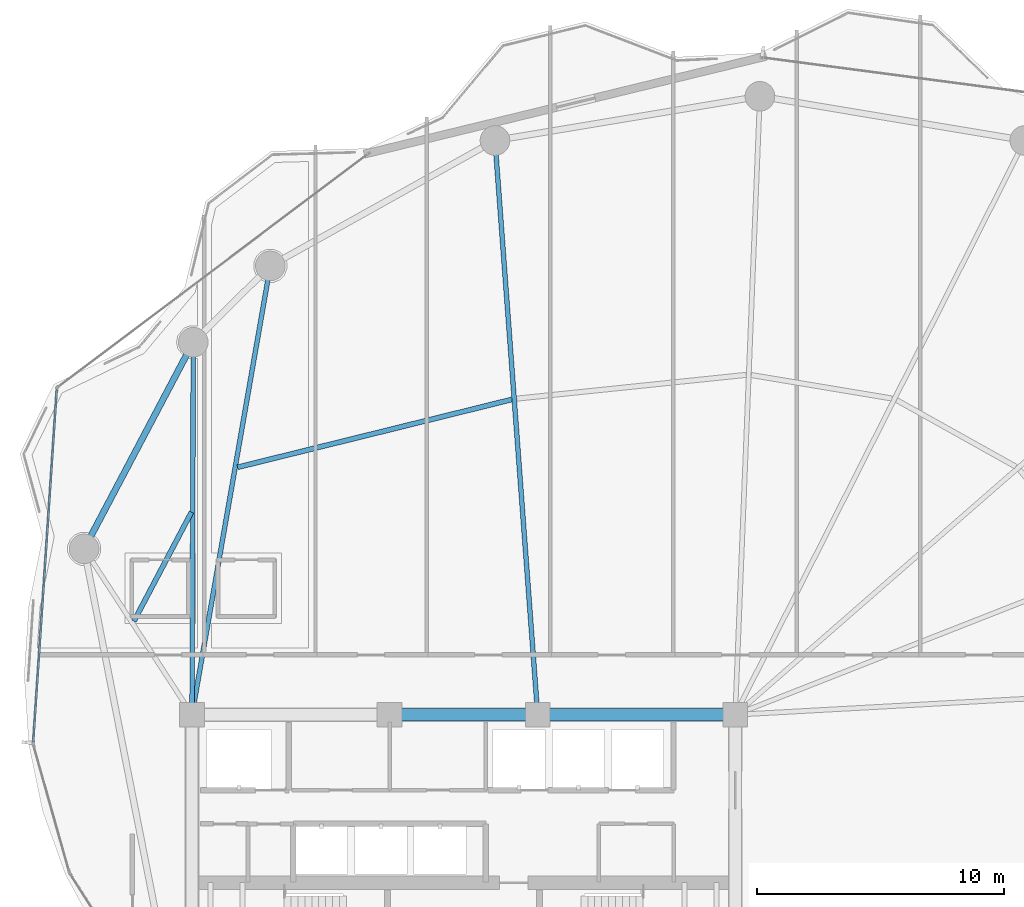
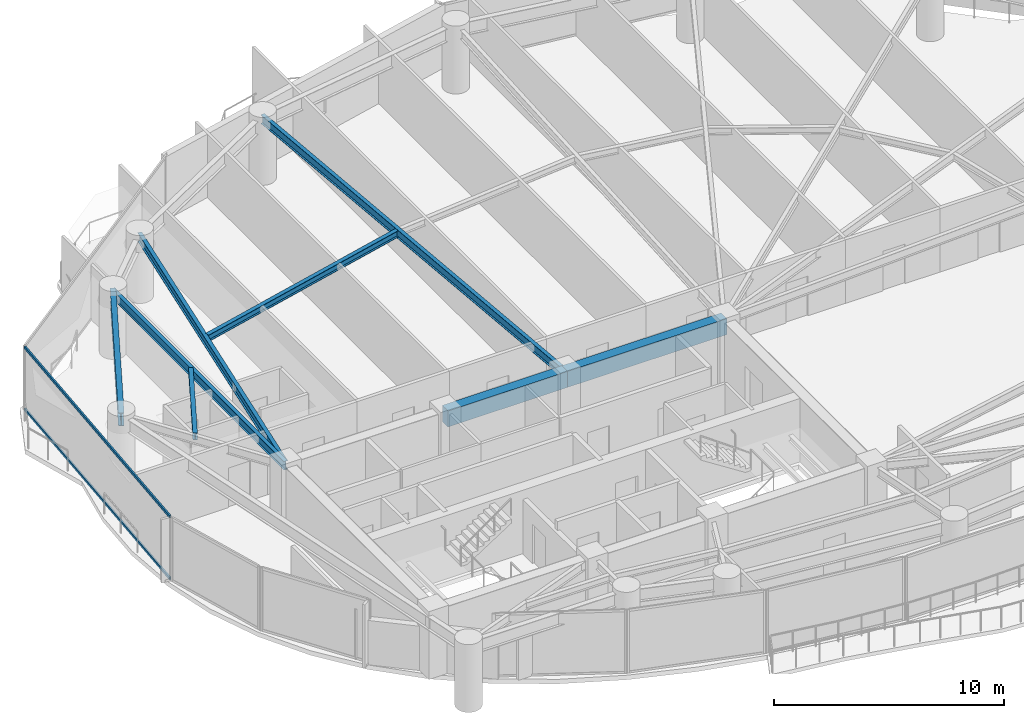
# One storey, part 8 of 30: 8 beams, 2 members, 1 element without a shape of its own.
"""IFC4 building model written with IfcOpenShell, lengths in metres."""

from ifc_helpers import new_model, si_unit, direction, frame, origin, origin_2d, place, context, subcontext, project, spatial, rectangle, hollow_rectangle, i_section, extrude, material, layer, layer_set, material_profile, profile_set, type_object, element, aggregate, save


model = new_model("IFC4")

# Units and contexts
model_context = context("Model", 3, precision=1e-05, world=origin(), true_north=direction((0.0, 1.0)))
body_context = subcontext(model_context, "Body", "Model", "MODEL_VIEW")
ifc_project = project(units=[si_unit("LENGTHUNIT", "METRE"), si_unit("AREAUNIT", "SQUARE_METRE"), si_unit("VOLUMEUNIT", "CUBIC_METRE"), si_unit("PLANEANGLEUNIT", "RADIAN"), si_unit("MASSUNIT", "GRAM", prefix="KILO")], contexts=[model_context])

# Site, building, storey
site_placement = place(None, origin())
site = spatial("IfcSite", under=ifc_project, at=site_placement, CompositionType="ELEMENT")
building_placement = place(site_placement, origin())
building = spatial("IfcBuilding", under=site, at=building_placement, Name="Kazevale Care Tower and Concert Hall", CompositionType="ELEMENT")
storey_placement = place(building_placement, frame((0.0, 0.0, 127.800048828125)))
storey = spatial("IfcBuildingStorey", under=building, at=storey_placement, Name="L33", CompositionType="ELEMENT", Elevation=127.800048828125)

# Curtain wall, members
ifc_material_1 = material(Name="Aluminium 6063-T6 and Low-E Glass", Category="aluminium")
ifc_layer = layer(ifc_material_1, 0.179931640625)
ifc_layer_set = layer_set([ifc_layer], Name="Aluminium 6063-T6 and Low-E Glass")
curtain_wall_type = type_object("IfcCurtainWallType", Name="Waist & Upper Residential Curtain Wall CW-4", PredefinedType="NOTDEFINED", material=ifc_layer_set)
curtain_wall_placement = place(storey_placement, origin())
curtain_wall = element("IfcCurtainWall", 1, at=curtain_wall_placement, inside=storey, type_object=curtain_wall_type, Name="cw:L33:f13", PredefinedType="NOTDEFINED")
ifc_material_2 = material(Name="Aluminium 6063-T6", Category="aluminium")
ifc_material_profile_1 = material_profile(ifc_material_2, hollow_rectangle(XDim=0.080078125, YDim=0.139892578125, WallThickness=0.00390625, at=origin_2d()), Name="ALU80x140x4")
ifc_profile_set_1 = profile_set([ifc_material_profile_1], Name="Aluminium 6063-T6")
member_type = type_object("IfcMemberType", Name="CW-4 Transom ALU80x140x4", PredefinedType="USERDEFINED", material=ifc_profile_set_1)
member_1_placement = place(storey_placement, frame((15.5712890625, 35.3017578125, 0.0400390625), z_axis=(0.06662329491, 0.99777820009, 0.0), x_axis=(-0.99777820009, 0.06662329491, 0.0)))
member_1 = element("IfcMember", 2, at=member_1_placement, type_object=member_type, Name="CW-4 transom 1.1", ObjectType="TRANSOM", PredefinedType="USERDEFINED", context=body_context, shape_type="SweptSolid", body=[
    extrude(hollow_rectangle(XDim=0.080078125, YDim=0.139892578125, WallThickness=0.00390625, at=origin_2d()), origin(), (0.0, 0.0, 1.0), 14.295166015625),
])
member_2_placement = place(storey_placement, frame((15.5712890625, 35.3017578125, 3.320068359375), z_axis=(0.06662329491, 0.99777820009, 0.0), x_axis=(-0.99777820009, 0.06662329491, 0.0)))
member_2 = element("IfcMember", 3, at=member_2_placement, type_object=member_type, Name="CW-4 transom 1.2", ObjectType="TRANSOM", PredefinedType="USERDEFINED", context=body_context, shape_type="SweptSolid", body=[
    extrude(hollow_rectangle(XDim=0.080078125, YDim=0.139892578125, WallThickness=0.00390625, at=origin_2d()), origin(), (0.0, 0.0, 1.0), 14.295166015625),
])
aggregate(curtain_wall, [member_1, member_2])

# Beams
ifc_material_3 = material(Name="Concrete C60", Category="concrete")
ifc_material_profile_2 = material_profile(ifc_material_3, rectangle(XDim=0.5, YDim=0.85009765625, at=origin_2d()), Name="RC-B500x850")
ifc_profile_set_2 = profile_set([ifc_material_profile_2], Name="Concrete C60")
beam_type_1 = type_object("IfcBeamType", Name="Core Coupling Beam RC500x850", PredefinedType="LINTEL", material=ifc_profile_set_2)
beam_1_placement = place(storey_placement, frame((44.0, 36.39990234375, 2.93505859375), z_axis=(-1.0, 0.0, 0.0), x_axis=(0.0, -1.0, 0.0)))
element("IfcBeam", 4, at=beam_1_placement, inside=storey, type_object=beam_type_1, Name="beam:L33:coretie:5", PredefinedType="LINTEL", context=body_context, shape_type="SweptSolid", body=[
    extrude(rectangle(XDim=0.5, YDim=0.85009765625, at=origin_2d()), origin(), (0.0, 0.0, 1.0), 8.0),
])
beam_2_placement = place(storey_placement, frame((36.0, 36.39990234375, 2.93505859375), z_axis=(-1.0, 0.0, 0.0), x_axis=(0.0, -1.0, 0.0)))
element("IfcBeam", 5, at=beam_2_placement, inside=storey, type_object=beam_type_1, Name="beam:L33:coretie:6", PredefinedType="LINTEL", context=body_context, shape_type="SweptSolid", body=[
    extrude(rectangle(XDim=0.5, YDim=0.85009765625, at=origin_2d()), origin(), (0.0, 0.0, 1.0), 6.0),
])
ifc_material_4 = material(Name="Steel ASTM A572 Gr 50", Category="steel")
ifc_material_profile_3 = material_profile(ifc_material_4, i_section(OverallWidth=0.19091796875, OverallDepth=0.4599609375, WebThickness=0.010009765625, FlangeThickness=0.01611328125, at=origin_2d()), Name="W460x82")
ifc_profile_set_3 = profile_set([ifc_material_profile_3], Name="Steel ASTM A572 Gr 50")
beam_type_2 = type_object("IfcBeamType", Name="Radial Floor Beam W460x82", PredefinedType="BEAM", material=ifc_profile_set_3)
beam_3_placement = place(storey_placement, frame((36.0, 36.39990234375, 3.1298828125), z_axis=(-0.074170876808, 0.997245547011, 0.0), x_axis=(-0.997245547011, -0.074170876808, 0.0)))
element("IfcBeam", 6, at=beam_3_placement, inside=storey, type_object=beam_type_2, Name="beam:L33:rad:06", PredefinedType="BEAM", context=body_context, shape_type="SweptSolid", body=[
    extrude(i_section(OverallWidth=0.19091796875, OverallDepth=0.4599609375, WebThickness=0.010009765625, FlangeThickness=0.01611328125, at=origin_2d()), origin(), (0.0, 0.0, 1.0), 23.32421875),
])
beam_4_placement = place(storey_placement, frame((22.0, 36.39990234375, 3.1298828125), z_axis=(0.171769935245, 0.985137091651, 0.0), x_axis=(-0.985137091651, 0.171769935245, 0.0)))
element("IfcBeam", 7, at=beam_4_placement, inside=storey, type_object=beam_type_2, Name="beam:L33:rad:07", PredefinedType="BEAM", context=body_context, shape_type="SweptSolid", body=[
    extrude(i_section(OverallWidth=0.19091796875, OverallDepth=0.4599609375, WebThickness=0.010009765625, FlangeThickness=0.01611328125, at=origin_2d()), origin(), (0.0, 0.0, 1.0), 18.454345703125),
])
beam_5_placement = place(storey_placement, frame((22.0, 36.39990234375, 3.1298828125), z_axis=(0.003316650851, 0.999994499898, 0.0), x_axis=(-0.999994499898, 0.003316650851, 0.0)))
element("IfcBeam", 8, at=beam_5_placement, inside=storey, type_object=beam_type_2, Name="beam:L33:rad:08", PredefinedType="BEAM", context=body_context, shape_type="SweptSolid", body=[
    extrude(i_section(OverallWidth=0.19091796875, OverallDepth=0.4599609375, WebThickness=0.010009765625, FlangeThickness=0.01611328125, at=origin_2d()), origin(), (0.0, 0.0, 1.0), 15.090087890625),
])
ifc_material_profile_4 = material_profile(ifc_material_4, i_section(OverallWidth=0.205078125, OverallDepth=0.35400390625, WebThickness=0.009521484375, FlangeThickness=0.016845703125, at=origin_2d()), Name="W360x79")
ifc_profile_set_4 = profile_set([ifc_material_profile_4], Name="Steel ASTM A572 Gr 50")
beam_type_3 = type_object("IfcBeamType", Name="Secondary Floor Joist W360x79", PredefinedType="JOIST", material=ifc_profile_set_4)
beam_6_placement = place(storey_placement, frame((34.947021484375, 49.16796875, 3.182861328125), z_axis=(-0.970789504014, -0.239932779954, 0.0), x_axis=(0.239932779954, -0.970789504014, 0.0)))
element("IfcBeam", 9, at=beam_6_placement, inside=storey, type_object=beam_type_3, Name="beam:L33:joist:06", PredefinedType="JOIST", context=body_context, shape_type="SweptSolid", body=[
    extrude(i_section(OverallWidth=0.205078125, OverallDepth=0.35400390625, WebThickness=0.009521484375, FlangeThickness=0.016845703125, at=origin_2d()), origin(), (0.0, 0.0, 1.0), 11.43603515625),
])
beam_7_placement = place(storey_placement, frame((21.97802734375, 44.60693359375, 3.182861328125), z_axis=(-0.466809583155, -0.884357853515, 0.0), x_axis=(0.884357853515, -0.466809583155, 0.0)))
element("IfcBeam", 10, at=beam_7_placement, inside=storey, type_object=beam_type_3, Name="beam:L33:joist:08", PredefinedType="JOIST", context=body_context, shape_type="SweptSolid", body=[
    extrude(i_section(OverallWidth=0.205078125, OverallDepth=0.35400390625, WebThickness=0.009521484375, FlangeThickness=0.016845703125, at=origin_2d()), origin(), (0.0, 0.0, 1.0), 4.99560546875),
])
ifc_material_profile_5 = material_profile(ifc_material_4, i_section(OverallWidth=0.256103515625, OverallDepth=0.693115234375, WebThickness=0.014404296875, FlangeThickness=0.023681640625, at=origin_2d()), Name="W690x170")
ifc_profile_set_5 = profile_set([ifc_material_profile_5], Name="Steel ASTM A572 Gr 50")
beam_type_4 = type_object("IfcBeamType", Name="Waist Ring Beam W690x170", PredefinedType="BEAM", material=ifc_profile_set_5)
beam_8_placement = place(storey_placement, frame((22.050048828125, 51.489990234375, 3.013427734375), z_axis=(-0.466984438127, -0.884265533959, 0.0), x_axis=(0.884265533959, -0.466984438127, 0.0)))
element("IfcBeam", 11, at=beam_8_placement, inside=storey, type_object=beam_type_4, Name="beam:L33:ring:08", PredefinedType="BEAM", context=body_context, shape_type="SweptSolid", body=[
    extrude(i_section(OverallWidth=0.256103515625, OverallDepth=0.693115234375, WebThickness=0.014404296875, FlangeThickness=0.023681640625, at=origin_2d()), origin(), (0.0, 0.0, 1.0), 9.46533203125),
])

save(model, "model.ifc")
